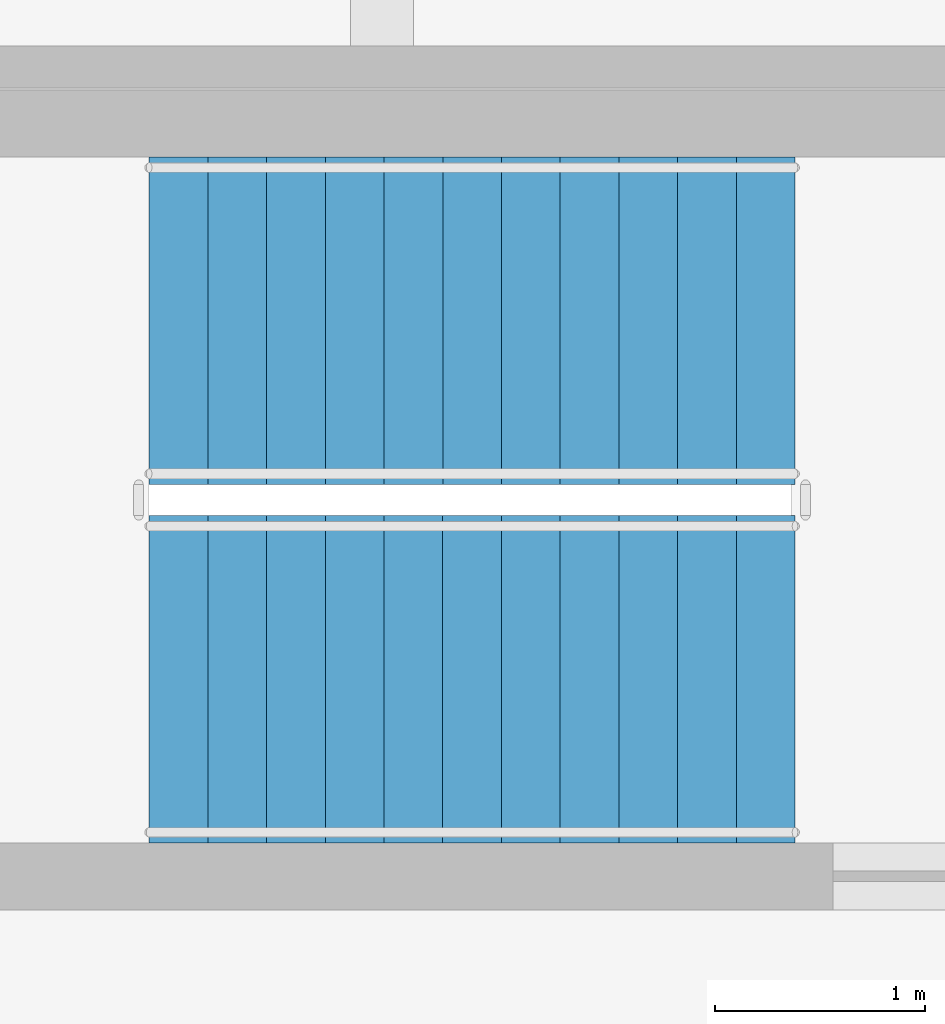
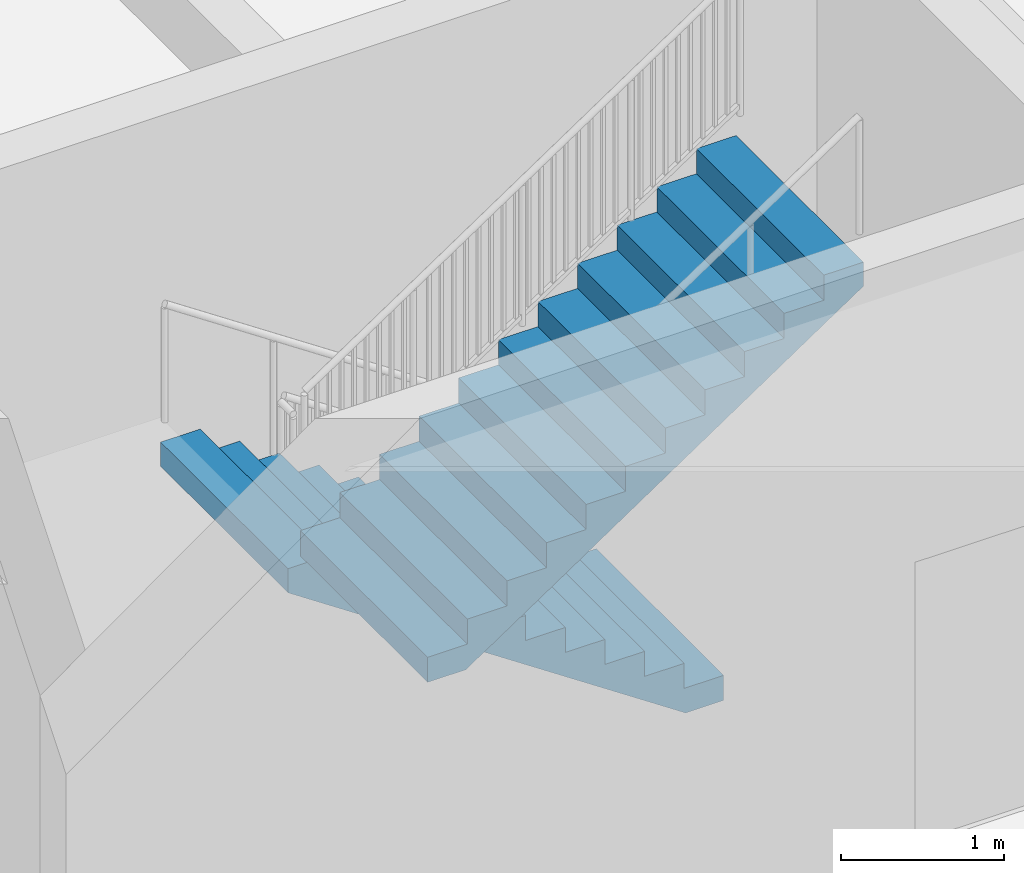
# One storey, part 67 of 79: 2 stair flights, 1 element without a shape of its own.
"""IFC4 building model written with IfcOpenShell, lengths in metres."""

from ifc_helpers import new_model, si_unit, direction, frame, origin, place, context, subcontext, project, spatial, polygons, material, type_object, element, aggregate, save


model = new_model("IFC4")

# Units and contexts
model_context = context("Model", 3, precision=1e-05, world=origin(), true_north=direction((0.0, 1.0)))
body_context = subcontext(model_context, "Body", "Model", "MODEL_VIEW")
ifc_project = project(units=[si_unit("LENGTHUNIT", "METRE"), si_unit("AREAUNIT", "SQUARE_METRE"), si_unit("VOLUMEUNIT", "CUBIC_METRE"), si_unit("PLANEANGLEUNIT", "RADIAN"), si_unit("MASSUNIT", "GRAM", prefix="KILO")], contexts=[model_context])

# Site, building, storey
site_placement = place(None, origin())
site = spatial("IfcSite", under=ifc_project, at=site_placement, CompositionType="ELEMENT")
building_placement = place(site_placement, origin())
building = spatial("IfcBuilding", under=site, at=building_placement, Name="Zantavel Square City Hall", CompositionType="ELEMENT")
storey_placement = place(building_placement, frame((0.0, 0.0, 10.199951171875)))
storey = spatial("IfcBuildingStorey", under=building, at=storey_placement, Name="L03", CompositionType="ELEMENT", Elevation=10.199951171875)

# Stair, stair flights
ifc_material = material(Name="Concrete C35/45", Category="concrete")
stair_type = type_object("IfcStairType", Name="Enclosed Core Dogleg Stair L03 H4500", PredefinedType="HALF_TURN_STAIR", material=ifc_material)
stair_placement = place(storey_placement, origin())
stair = element("IfcStair", 1, at=stair_placement, inside=storey, type_object=stair_type, Name="L03 Exit Stair 2 North-East Core", PredefinedType="HALF_TURN_STAIR")
stair_flight_type = type_object("IfcStairFlightType", Name="Enclosed Core Stair Flight L03 W1560", PredefinedType="STRAIGHT", material=ifc_material)
stair_flight_1_placement = place(storey_placement, frame((117.969970703125, 82.590087890625, 0.0), z_axis=(0.0, 0.0, 1.0), x_axis=(-1.0, 0.0, 0.0)))
stair_flight_1 = element("IfcStairFlight", 2, at=stair_flight_1_placement, type_object=stair_flight_type, Name="ST2 flight 1", NumberOfRisers=12, NumberOfTreads=11, PredefinedType="STRAIGHT", RiserHeight=0.1875, TreadLength=0.28, context=body_context, shape_type="Tessellation", body=[
    polygons([(0.26953125, -0.780029296875, 0.0), (3.080078125, -0.780029296875, 1.882080078125), (3.080078125, -0.780029296875, 2.0625), (2.800048828125, -0.780029296875, 2.0625), (2.800048828125, -0.780029296875, 1.875), (2.52001953125, -0.780029296875, 1.875), (2.52001953125, -0.780029296875, 1.6875), (2.239990234375, -0.780029296875, 1.6875), (2.239990234375, -0.780029296875, 1.5), (1.9599609375, -0.780029296875, 1.5), (1.9599609375, -0.780029296875, 1.3125), (1.679931640625, -0.780029296875, 1.3125), (1.679931640625, -0.780029296875, 1.125), (1.39990234375, -0.780029296875, 1.125), (1.39990234375, -0.780029296875, 0.9375), (1.1201171875, -0.780029296875, 0.9375), (1.1201171875, -0.780029296875, 0.75), (0.840087890625, -0.780029296875, 0.75), (0.840087890625, -0.780029296875, 0.5625), (0.56005859375, -0.780029296875, 0.5625), (0.56005859375, -0.780029296875, 0.375), (0.280029296875, -0.780029296875, 0.375), (0.280029296875, -0.780029296875, 0.1875), (0.0, -0.780029296875, 0.1875), (0.0, -0.780029296875, 0.0), (0.26953125, -0.5849609375, 0.0), (3.080078125, -0.5849609375, 1.882080078125), (3.080078125, -0.5849609375, 2.0625), (2.800048828125, -0.5849609375, 2.0625), (2.800048828125, -0.5849609375, 1.875), (2.52001953125, -0.5849609375, 1.875), (2.52001953125, -0.5849609375, 1.6875), (2.239990234375, -0.5849609375, 1.6875), (2.239990234375, -0.5849609375, 1.5), (1.9599609375, -0.5849609375, 1.5), (1.9599609375, -0.5849609375, 1.3125), (1.679931640625, -0.5849609375, 1.3125), (1.679931640625, -0.5849609375, 1.125), (1.39990234375, -0.5849609375, 1.125), (1.39990234375, -0.5849609375, 0.9375), (1.1201171875, -0.5849609375, 0.9375), (1.1201171875, -0.5849609375, 0.75), (0.840087890625, -0.5849609375, 0.75), (0.840087890625, -0.5849609375, 0.5625), (0.56005859375, -0.5849609375, 0.5625), (0.56005859375, -0.5849609375, 0.375), (0.280029296875, -0.5849609375, 0.375), (0.280029296875, -0.5849609375, 0.1875), (0.0, -0.5849609375, 0.1875), (0.0, -0.5849609375, 0.0), (0.26953125, -0.39013671875, 0.0), (3.080078125, -0.39013671875, 1.882080078125), (3.080078125, -0.39013671875, 2.0625), (2.800048828125, -0.39013671875, 2.0625), (2.800048828125, -0.39013671875, 1.875), (2.52001953125, -0.39013671875, 1.875), (2.52001953125, -0.39013671875, 1.6875), (2.239990234375, -0.39013671875, 1.6875), (2.239990234375, -0.39013671875, 1.5), (1.9599609375, -0.39013671875, 1.5), (1.9599609375, -0.39013671875, 1.3125), (1.679931640625, -0.39013671875, 1.3125), (1.679931640625, -0.39013671875, 1.125), (1.39990234375, -0.39013671875, 1.125), (1.39990234375, -0.39013671875, 0.9375), (1.1201171875, -0.39013671875, 0.9375), (1.1201171875, -0.39013671875, 0.75), (0.840087890625, -0.39013671875, 0.75), (0.840087890625, -0.39013671875, 0.5625), (0.56005859375, -0.39013671875, 0.5625), (0.56005859375, -0.39013671875, 0.375), (0.280029296875, -0.39013671875, 0.375), (0.280029296875, -0.39013671875, 0.1875), (0.0, -0.39013671875, 0.1875), (0.0, -0.39013671875, 0.0), (0.26953125, -0.195068359375, 0.0), (3.080078125, -0.195068359375, 1.882080078125), (3.080078125, -0.195068359375, 2.0625), (2.800048828125, -0.195068359375, 2.0625), (2.800048828125, -0.195068359375, 1.875), (2.52001953125, -0.195068359375, 1.875), (2.52001953125, -0.195068359375, 1.6875), (2.239990234375, -0.195068359375, 1.6875), (2.239990234375, -0.195068359375, 1.5), (1.9599609375, -0.195068359375, 1.5), (1.9599609375, -0.195068359375, 1.3125), (1.679931640625, -0.195068359375, 1.3125), (1.679931640625, -0.195068359375, 1.125), (1.39990234375, -0.195068359375, 1.125), (1.39990234375, -0.195068359375, 0.9375), (1.1201171875, -0.195068359375, 0.9375), (1.1201171875, -0.195068359375, 0.75), (0.840087890625, -0.195068359375, 0.75), (0.840087890625, -0.195068359375, 0.5625), (0.56005859375, -0.195068359375, 0.5625), (0.56005859375, -0.195068359375, 0.375), (0.280029296875, -0.195068359375, 0.375), (0.280029296875, -0.195068359375, 0.1875), (0.0, -0.195068359375, 0.1875), (0.0, -0.195068359375, 0.0), (0.26953125, 0.0, 0.0), (3.080078125, 0.0, 1.882080078125), (3.080078125, 0.0, 2.0625), (2.800048828125, 0.0, 2.0625), (2.800048828125, 0.0, 1.875), (2.52001953125, 0.0, 1.875), (2.52001953125, 0.0, 1.6875), (2.239990234375, 0.0, 1.6875), (2.239990234375, 0.0, 1.5), (1.9599609375, 0.0, 1.5), (1.9599609375, 0.0, 1.3125), (1.679931640625, 0.0, 1.3125), (1.679931640625, 0.0, 1.125), (1.39990234375, 0.0, 1.125), (1.39990234375, 0.0, 0.9375), (1.1201171875, 0.0, 0.9375), (1.1201171875, 0.0, 0.75), (0.840087890625, 0.0, 0.75), (0.840087890625, 0.0, 0.5625), (0.56005859375, 0.0, 0.5625), (0.56005859375, 0.0, 0.375), (0.280029296875, 0.0, 0.375), (0.280029296875, 0.0, 0.1875), (0.0, 0.0, 0.1875), (0.0, 0.0, 0.0), (0.26953125, 0.195068359375, 0.0), (3.080078125, 0.195068359375, 1.882080078125), (3.080078125, 0.195068359375, 2.0625), (2.800048828125, 0.195068359375, 2.0625), (2.800048828125, 0.195068359375, 1.875), (2.52001953125, 0.195068359375, 1.875), (2.52001953125, 0.195068359375, 1.6875), (2.239990234375, 0.195068359375, 1.6875), (2.239990234375, 0.195068359375, 1.5), (1.9599609375, 0.195068359375, 1.5), (1.9599609375, 0.195068359375, 1.3125), (1.679931640625, 0.195068359375, 1.3125), (1.679931640625, 0.195068359375, 1.125), (1.39990234375, 0.195068359375, 1.125), (1.39990234375, 0.195068359375, 0.9375), (1.1201171875, 0.195068359375, 0.9375), (1.1201171875, 0.195068359375, 0.75), (0.840087890625, 0.195068359375, 0.75), (0.840087890625, 0.195068359375, 0.5625), (0.56005859375, 0.195068359375, 0.5625), (0.56005859375, 0.195068359375, 0.375), (0.280029296875, 0.195068359375, 0.375), (0.280029296875, 0.195068359375, 0.1875), (0.0, 0.195068359375, 0.1875), (0.0, 0.195068359375, 0.0), (0.26953125, 0.39013671875, 0.0), (3.080078125, 0.39013671875, 1.882080078125), (3.080078125, 0.39013671875, 2.0625), (2.800048828125, 0.39013671875, 2.0625), (2.800048828125, 0.39013671875, 1.875), (2.52001953125, 0.39013671875, 1.875), (2.52001953125, 0.39013671875, 1.6875), (2.239990234375, 0.39013671875, 1.6875), (2.239990234375, 0.39013671875, 1.5), (1.9599609375, 0.39013671875, 1.5), (1.9599609375, 0.39013671875, 1.3125), (1.679931640625, 0.39013671875, 1.3125), (1.679931640625, 0.39013671875, 1.125), (1.39990234375, 0.39013671875, 1.125), (1.39990234375, 0.39013671875, 0.9375), (1.1201171875, 0.39013671875, 0.9375), (1.1201171875, 0.39013671875, 0.75), (0.840087890625, 0.39013671875, 0.75), (0.840087890625, 0.39013671875, 0.5625), (0.56005859375, 0.39013671875, 0.5625), (0.56005859375, 0.39013671875, 0.375), (0.280029296875, 0.39013671875, 0.375), (0.280029296875, 0.39013671875, 0.1875), (0.0, 0.39013671875, 0.1875), (0.0, 0.39013671875, 0.0), (0.26953125, 0.5849609375, 0.0), (3.080078125, 0.5849609375, 1.882080078125), (3.080078125, 0.5849609375, 2.0625), (2.800048828125, 0.5849609375, 2.0625), (2.800048828125, 0.5849609375, 1.875), (2.52001953125, 0.5849609375, 1.875), (2.52001953125, 0.5849609375, 1.6875), (2.239990234375, 0.5849609375, 1.6875), (2.239990234375, 0.5849609375, 1.5), (1.9599609375, 0.5849609375, 1.5), (1.9599609375, 0.5849609375, 1.3125), (1.679931640625, 0.5849609375, 1.3125), (1.679931640625, 0.5849609375, 1.125), (1.39990234375, 0.5849609375, 1.125), (1.39990234375, 0.5849609375, 0.9375), (1.1201171875, 0.5849609375, 0.9375), (1.1201171875, 0.5849609375, 0.75), (0.840087890625, 0.5849609375, 0.75), (0.840087890625, 0.5849609375, 0.5625), (0.56005859375, 0.5849609375, 0.5625), (0.56005859375, 0.5849609375, 0.375), (0.280029296875, 0.5849609375, 0.375), (0.280029296875, 0.5849609375, 0.1875), (0.0, 0.5849609375, 0.1875), (0.0, 0.5849609375, 0.0), (0.26953125, 0.780029296875, 0.0), (3.080078125, 0.780029296875, 1.882080078125), (3.080078125, 0.780029296875, 2.0625), (2.800048828125, 0.780029296875, 2.0625), (2.800048828125, 0.780029296875, 1.875), (2.52001953125, 0.780029296875, 1.875), (2.52001953125, 0.780029296875, 1.6875), (2.239990234375, 0.780029296875, 1.6875), (2.239990234375, 0.780029296875, 1.5), (1.9599609375, 0.780029296875, 1.5), (1.9599609375, 0.780029296875, 1.3125), (1.679931640625, 0.780029296875, 1.3125), (1.679931640625, 0.780029296875, 1.125), (1.39990234375, 0.780029296875, 1.125), (1.39990234375, 0.780029296875, 0.9375), (1.1201171875, 0.780029296875, 0.9375), (1.1201171875, 0.780029296875, 0.75), (0.840087890625, 0.780029296875, 0.75), (0.840087890625, 0.780029296875, 0.5625), (0.56005859375, 0.780029296875, 0.5625), (0.56005859375, 0.780029296875, 0.375), (0.280029296875, 0.780029296875, 0.375), (0.280029296875, 0.780029296875, 0.1875), (0.0, 0.780029296875, 0.1875), (0.0, 0.780029296875, 0.0)], [[[1, 2, 3, 4, 5, 6, 7, 8, 9, 10, 11, 12, 13, 14, 15, 16, 17, 18, 19, 20, 21, 22, 23, 24, 25]], [[225, 224, 223, 222, 221, 220, 219, 218, 217, 216, 215, 214, 213, 212, 211, 210, 209, 208, 207, 206, 205, 204, 203, 202, 201]], [[1, 26, 27]], [[1, 27, 2]], [[2, 27, 28]], [[2, 28, 3]], [[3, 28, 29]], [[3, 29, 4]], [[4, 29, 30]], [[4, 30, 5]], [[5, 30, 31]], [[5, 31, 6]], [[6, 31, 32]], [[6, 32, 7]], [[7, 32, 33]], [[7, 33, 8]], [[8, 33, 34]], [[8, 34, 9]], [[9, 34, 35]], [[9, 35, 10]], [[10, 35, 36]], [[10, 36, 11]], [[11, 36, 37]], [[11, 37, 12]], [[12, 37, 38]], [[12, 38, 13]], [[13, 38, 39]], [[13, 39, 14]], [[14, 39, 40]], [[14, 40, 15]], [[15, 40, 41]], [[15, 41, 16]], [[16, 41, 42]], [[16, 42, 17]], [[17, 42, 43]], [[17, 43, 18]], [[18, 43, 44]], [[18, 44, 19]], [[19, 44, 45]], [[19, 45, 20]], [[20, 45, 46]], [[20, 46, 21]], [[21, 46, 47]], [[21, 47, 22]], [[22, 47, 48]], [[22, 48, 23]], [[23, 48, 49]], [[23, 49, 24]], [[24, 49, 50]], [[24, 50, 25]], [[25, 50, 26]], [[25, 26, 1]], [[26, 51, 52]], [[26, 52, 27]], [[27, 52, 53]], [[27, 53, 28]], [[28, 53, 54]], [[28, 54, 29]], [[29, 54, 55]], [[29, 55, 30]], [[30, 55, 56]], [[30, 56, 31]], [[31, 56, 57]], [[31, 57, 32]], [[32, 57, 58]], [[32, 58, 33]], [[33, 58, 59]], [[33, 59, 34]], [[34, 59, 60]], [[34, 60, 35]], [[35, 60, 61]], [[35, 61, 36]], [[36, 61, 62]], [[36, 62, 37]], [[37, 62, 63]], [[37, 63, 38]], [[38, 63, 64]], [[38, 64, 39]], [[39, 64, 65]], [[39, 65, 40]], [[40, 65, 66]], [[40, 66, 41]], [[41, 66, 67]], [[41, 67, 42]], [[42, 67, 68]], [[42, 68, 43]], [[43, 68, 69]], [[43, 69, 44]], [[44, 69, 70]], [[44, 70, 45]], [[45, 70, 71]], [[45, 71, 46]], [[46, 71, 72]], [[46, 72, 47]], [[47, 72, 73]], [[47, 73, 48]], [[48, 73, 74]], [[48, 74, 49]], [[49, 74, 75]], [[49, 75, 50]], [[50, 75, 51]], [[50, 51, 26]], [[51, 76, 77]], [[51, 77, 52]], [[52, 77, 78]], [[52, 78, 53]], [[53, 78, 79]], [[53, 79, 54]], [[54, 79, 80]], [[54, 80, 55]], [[55, 80, 81]], [[55, 81, 56]], [[56, 81, 82]], [[56, 82, 57]], [[57, 82, 83]], [[57, 83, 58]], [[58, 83, 84]], [[58, 84, 59]], [[59, 84, 85]], [[59, 85, 60]], [[60, 85, 86]], [[60, 86, 61]], [[61, 86, 87]], [[61, 87, 62]], [[62, 87, 88]], [[62, 88, 63]], [[63, 88, 89]], [[63, 89, 64]], [[64, 89, 90]], [[64, 90, 65]], [[65, 90, 91]], [[65, 91, 66]], [[66, 91, 92]], [[66, 92, 67]], [[67, 92, 93]], [[67, 93, 68]], [[68, 93, 94]], [[68, 94, 69]], [[69, 94, 95]], [[69, 95, 70]], [[70, 95, 96]], [[70, 96, 71]], [[71, 96, 97]], [[71, 97, 72]], [[72, 97, 98]], [[72, 98, 73]], [[73, 98, 99]], [[73, 99, 74]], [[74, 99, 100]], [[74, 100, 75]], [[75, 100, 76]], [[75, 76, 51]], [[76, 101, 102]], [[76, 102, 77]], [[77, 102, 103]], [[77, 103, 78]], [[78, 103, 104]], [[78, 104, 79]], [[79, 104, 105]], [[79, 105, 80]], [[80, 105, 106]], [[80, 106, 81]], [[81, 106, 107]], [[81, 107, 82]], [[82, 107, 108]], [[82, 108, 83]], [[83, 108, 109]], [[83, 109, 84]], [[84, 109, 110]], [[84, 110, 85]], [[85, 110, 111]], [[85, 111, 86]], [[86, 111, 112]], [[86, 112, 87]], [[87, 112, 113]], [[87, 113, 88]], [[88, 113, 114]], [[88, 114, 89]], [[89, 114, 115]], [[89, 115, 90]], [[90, 115, 116]], [[90, 116, 91]], [[91, 116, 117]], [[91, 117, 92]], [[92, 117, 118]], [[92, 118, 93]], [[93, 118, 119]], [[93, 119, 94]], [[94, 119, 120]], [[94, 120, 95]], [[95, 120, 121]], [[95, 121, 96]], [[96, 121, 122]], [[96, 122, 97]], [[97, 122, 123]], [[97, 123, 98]], [[98, 123, 124]], [[98, 124, 99]], [[99, 124, 125]], [[99, 125, 100]], [[100, 125, 101]], [[100, 101, 76]], [[101, 126, 102]], [[126, 127, 102]], [[102, 127, 103]], [[127, 128, 103]], [[103, 128, 104]], [[128, 129, 104]], [[104, 129, 105]], [[129, 130, 105]], [[105, 130, 106]], [[130, 131, 106]], [[106, 131, 107]], [[131, 132, 107]], [[107, 132, 108]], [[132, 133, 108]], [[108, 133, 109]], [[133, 134, 109]], [[109, 134, 110]], [[134, 135, 110]], [[110, 135, 111]], [[135, 136, 111]], [[111, 136, 112]], [[136, 137, 112]], [[112, 137, 113]], [[137, 138, 113]], [[113, 138, 114]], [[138, 139, 114]], [[114, 139, 115]], [[139, 140, 115]], [[115, 140, 116]], [[140, 141, 116]], [[116, 141, 117]], [[141, 142, 117]], [[117, 142, 118]], [[142, 143, 118]], [[118, 143, 119]], [[143, 144, 119]], [[119, 144, 120]], [[144, 145, 120]], [[120, 145, 121]], [[145, 146, 121]], [[121, 146, 122]], [[146, 147, 122]], [[122, 147, 123]], [[147, 148, 123]], [[123, 148, 124]], [[148, 149, 124]], [[124, 149, 125]], [[149, 150, 125]], [[125, 150, 101]], [[150, 126, 101]], [[126, 151, 127]], [[151, 152, 127]], [[127, 152, 128]], [[152, 153, 128]], [[128, 153, 129]], [[153, 154, 129]], [[129, 154, 130]], [[154, 155, 130]], [[130, 155, 131]], [[155, 156, 131]], [[131, 156, 132]], [[156, 157, 132]], [[132, 157, 133]], [[157, 158, 133]], [[133, 158, 134]], [[158, 159, 134]], [[134, 159, 135]], [[159, 160, 135]], [[135, 160, 136]], [[160, 161, 136]], [[136, 161, 137]], [[161, 162, 137]], [[137, 162, 138]], [[162, 163, 138]], [[138, 163, 139]], [[163, 164, 139]], [[139, 164, 140]], [[164, 165, 140]], [[140, 165, 141]], [[165, 166, 141]], [[141, 166, 142]], [[166, 167, 142]], [[142, 167, 143]], [[167, 168, 143]], [[143, 168, 144]], [[168, 169, 144]], [[144, 169, 145]], [[169, 170, 145]], [[145, 170, 146]], [[170, 171, 146]], [[146, 171, 147]], [[171, 172, 147]], [[147, 172, 148]], [[172, 173, 148]], [[148, 173, 149]], [[173, 174, 149]], [[149, 174, 150]], [[174, 175, 150]], [[150, 175, 126]], [[175, 151, 126]], [[151, 176, 152]], [[176, 177, 152]], [[152, 177, 153]], [[177, 178, 153]], [[153, 178, 154]], [[178, 179, 154]], [[154, 179, 155]], [[179, 180, 155]], [[155, 180, 156]], [[180, 181, 156]], [[156, 181, 157]], [[181, 182, 157]], [[157, 182, 158]], [[182, 183, 158]], [[158, 183, 159]], [[183, 184, 159]], [[159, 184, 160]], [[184, 185, 160]], [[160, 185, 161]], [[185, 186, 161]], [[161, 186, 162]], [[186, 187, 162]], [[162, 187, 163]], [[187, 188, 163]], [[163, 188, 164]], [[188, 189, 164]], [[164, 189, 165]], [[189, 190, 165]], [[165, 190, 166]], [[190, 191, 166]], [[166, 191, 167]], [[191, 192, 167]], [[167, 192, 168]], [[192, 193, 168]], [[168, 193, 169]], [[193, 194, 169]], [[169, 194, 170]], [[194, 195, 170]], [[170, 195, 171]], [[195, 196, 171]], [[171, 196, 172]], [[196, 197, 172]], [[172, 197, 173]], [[197, 198, 173]], [[173, 198, 174]], [[198, 199, 174]], [[174, 199, 175]], [[199, 200, 175]], [[175, 200, 151]], [[200, 176, 151]], [[176, 201, 177]], [[201, 202, 177]], [[177, 202, 178]], [[202, 203, 178]], [[178, 203, 179]], [[203, 204, 179]], [[179, 204, 180]], [[204, 205, 180]], [[180, 205, 181]], [[205, 206, 181]], [[181, 206, 182]], [[206, 207, 182]], [[182, 207, 183]], [[207, 208, 183]], [[183, 208, 184]], [[208, 209, 184]], [[184, 209, 185]], [[209, 210, 185]], [[185, 210, 186]], [[210, 211, 186]], [[186, 211, 187]], [[211, 212, 187]], [[187, 212, 188]], [[212, 213, 188]], [[188, 213, 189]], [[213, 214, 189]], [[189, 214, 190]], [[214, 215, 190]], [[190, 215, 191]], [[215, 216, 191]], [[191, 216, 192]], [[216, 217, 192]], [[192, 217, 193]], [[217, 218, 193]], [[193, 218, 194]], [[218, 219, 194]], [[194, 219, 195]], [[219, 220, 195]], [[195, 220, 196]], [[220, 221, 196]], [[196, 221, 197]], [[221, 222, 197]], [[197, 222, 198]], [[222, 223, 198]], [[198, 223, 199]], [[223, 224, 199]], [[199, 224, 200]], [[224, 225, 200]], [[200, 225, 176]], [[225, 201, 176]]], closed=True),
])
stair_flight_2_placement = place(storey_placement, frame((114.889892578125, 80.8798828125, 2.25), z_axis=(0.0, 0.0, 1.0), x_axis=(1.0, 0.0, 0.0)))
stair_flight_2 = element("IfcStairFlight", 3, at=stair_flight_2_placement, type_object=stair_flight_type, Name="ST2 flight 2", NumberOfRisers=12, NumberOfTreads=11, PredefinedType="STRAIGHT", RiserHeight=0.1875, TreadLength=0.28, context=body_context, shape_type="Tessellation", body=[
    polygons([(0.26953125, -0.780029296875, 0.0), (3.080078125, -0.780029296875, 1.882080078125), (3.080078125, -0.780029296875, 2.0625), (2.800048828125, -0.780029296875, 2.0625), (2.800048828125, -0.780029296875, 1.875), (2.52001953125, -0.780029296875, 1.875), (2.52001953125, -0.780029296875, 1.6875), (2.239990234375, -0.780029296875, 1.6875), (2.239990234375, -0.780029296875, 1.5), (1.9599609375, -0.780029296875, 1.5), (1.9599609375, -0.780029296875, 1.3125), (1.679931640625, -0.780029296875, 1.3125), (1.679931640625, -0.780029296875, 1.125), (1.39990234375, -0.780029296875, 1.125), (1.39990234375, -0.780029296875, 0.9375), (1.1201171875, -0.780029296875, 0.9375), (1.1201171875, -0.780029296875, 0.75), (0.840087890625, -0.780029296875, 0.75), (0.840087890625, -0.780029296875, 0.5625), (0.56005859375, -0.780029296875, 0.5625), (0.56005859375, -0.780029296875, 0.375), (0.280029296875, -0.780029296875, 0.375), (0.280029296875, -0.780029296875, 0.1875), (0.0, -0.780029296875, 0.1875), (0.0, -0.780029296875, 0.0), (0.26953125, -0.5849609375, 0.0), (3.080078125, -0.5849609375, 1.882080078125), (3.080078125, -0.5849609375, 2.0625), (2.800048828125, -0.5849609375, 2.0625), (2.800048828125, -0.5849609375, 1.875), (2.52001953125, -0.5849609375, 1.875), (2.52001953125, -0.5849609375, 1.6875), (2.239990234375, -0.5849609375, 1.6875), (2.239990234375, -0.5849609375, 1.5), (1.9599609375, -0.5849609375, 1.5), (1.9599609375, -0.5849609375, 1.3125), (1.679931640625, -0.5849609375, 1.3125), (1.679931640625, -0.5849609375, 1.125), (1.39990234375, -0.5849609375, 1.125), (1.39990234375, -0.5849609375, 0.9375), (1.1201171875, -0.5849609375, 0.9375), (1.1201171875, -0.5849609375, 0.75), (0.840087890625, -0.5849609375, 0.75), (0.840087890625, -0.5849609375, 0.5625), (0.56005859375, -0.5849609375, 0.5625), (0.56005859375, -0.5849609375, 0.375), (0.280029296875, -0.5849609375, 0.375), (0.280029296875, -0.5849609375, 0.1875), (0.0, -0.5849609375, 0.1875), (0.0, -0.5849609375, 0.0), (0.26953125, -0.39013671875, 0.0), (3.080078125, -0.39013671875, 1.882080078125), (3.080078125, -0.39013671875, 2.0625), (2.800048828125, -0.39013671875, 2.0625), (2.800048828125, -0.39013671875, 1.875), (2.52001953125, -0.39013671875, 1.875), (2.52001953125, -0.39013671875, 1.6875), (2.239990234375, -0.39013671875, 1.6875), (2.239990234375, -0.39013671875, 1.5), (1.9599609375, -0.39013671875, 1.5), (1.9599609375, -0.39013671875, 1.3125), (1.679931640625, -0.39013671875, 1.3125), (1.679931640625, -0.39013671875, 1.125), (1.39990234375, -0.39013671875, 1.125), (1.39990234375, -0.39013671875, 0.9375), (1.1201171875, -0.39013671875, 0.9375), (1.1201171875, -0.39013671875, 0.75), (0.840087890625, -0.39013671875, 0.75), (0.840087890625, -0.39013671875, 0.5625), (0.56005859375, -0.39013671875, 0.5625), (0.56005859375, -0.39013671875, 0.375), (0.280029296875, -0.39013671875, 0.375), (0.280029296875, -0.39013671875, 0.1875), (0.0, -0.39013671875, 0.1875), (0.0, -0.39013671875, 0.0), (0.26953125, -0.195068359375, 0.0), (3.080078125, -0.195068359375, 1.882080078125), (3.080078125, -0.195068359375, 2.0625), (2.800048828125, -0.195068359375, 2.0625), (2.800048828125, -0.195068359375, 1.875), (2.52001953125, -0.195068359375, 1.875), (2.52001953125, -0.195068359375, 1.6875), (2.239990234375, -0.195068359375, 1.6875), (2.239990234375, -0.195068359375, 1.5), (1.9599609375, -0.195068359375, 1.5), (1.9599609375, -0.195068359375, 1.3125), (1.679931640625, -0.195068359375, 1.3125), (1.679931640625, -0.195068359375, 1.125), (1.39990234375, -0.195068359375, 1.125), (1.39990234375, -0.195068359375, 0.9375), (1.1201171875, -0.195068359375, 0.9375), (1.1201171875, -0.195068359375, 0.75), (0.840087890625, -0.195068359375, 0.75), (0.840087890625, -0.195068359375, 0.5625), (0.56005859375, -0.195068359375, 0.5625), (0.56005859375, -0.195068359375, 0.375), (0.280029296875, -0.195068359375, 0.375), (0.280029296875, -0.195068359375, 0.1875), (0.0, -0.195068359375, 0.1875), (0.0, -0.195068359375, 0.0), (0.26953125, 0.0, 0.0), (3.080078125, 0.0, 1.882080078125), (3.080078125, 0.0, 2.0625), (2.800048828125, 0.0, 2.0625), (2.800048828125, 0.0, 1.875), (2.52001953125, 0.0, 1.875), (2.52001953125, 0.0, 1.6875), (2.239990234375, 0.0, 1.6875), (2.239990234375, 0.0, 1.5), (1.9599609375, 0.0, 1.5), (1.9599609375, 0.0, 1.3125), (1.679931640625, 0.0, 1.3125), (1.679931640625, 0.0, 1.125), (1.39990234375, 0.0, 1.125), (1.39990234375, 0.0, 0.9375), (1.1201171875, 0.0, 0.9375), (1.1201171875, 0.0, 0.75), (0.840087890625, 0.0, 0.75), (0.840087890625, 0.0, 0.5625), (0.56005859375, 0.0, 0.5625), (0.56005859375, 0.0, 0.375), (0.280029296875, 0.0, 0.375), (0.280029296875, 0.0, 0.1875), (0.0, 0.0, 0.1875), (0.0, 0.0, 0.0), (0.26953125, 0.195068359375, 0.0), (3.080078125, 0.195068359375, 1.882080078125), (3.080078125, 0.195068359375, 2.0625), (2.800048828125, 0.195068359375, 2.0625), (2.800048828125, 0.195068359375, 1.875), (2.52001953125, 0.195068359375, 1.875), (2.52001953125, 0.195068359375, 1.6875), (2.239990234375, 0.195068359375, 1.6875), (2.239990234375, 0.195068359375, 1.5), (1.9599609375, 0.195068359375, 1.5), (1.9599609375, 0.195068359375, 1.3125), (1.679931640625, 0.195068359375, 1.3125), (1.679931640625, 0.195068359375, 1.125), (1.39990234375, 0.195068359375, 1.125), (1.39990234375, 0.195068359375, 0.9375), (1.1201171875, 0.195068359375, 0.9375), (1.1201171875, 0.195068359375, 0.75), (0.840087890625, 0.195068359375, 0.75), (0.840087890625, 0.195068359375, 0.5625), (0.56005859375, 0.195068359375, 0.5625), (0.56005859375, 0.195068359375, 0.375), (0.280029296875, 0.195068359375, 0.375), (0.280029296875, 0.195068359375, 0.1875), (0.0, 0.195068359375, 0.1875), (0.0, 0.195068359375, 0.0), (0.26953125, 0.39013671875, 0.0), (3.080078125, 0.39013671875, 1.882080078125), (3.080078125, 0.39013671875, 2.0625), (2.800048828125, 0.39013671875, 2.0625), (2.800048828125, 0.39013671875, 1.875), (2.52001953125, 0.39013671875, 1.875), (2.52001953125, 0.39013671875, 1.6875), (2.239990234375, 0.39013671875, 1.6875), (2.239990234375, 0.39013671875, 1.5), (1.9599609375, 0.39013671875, 1.5), (1.9599609375, 0.39013671875, 1.3125), (1.679931640625, 0.39013671875, 1.3125), (1.679931640625, 0.39013671875, 1.125), (1.39990234375, 0.39013671875, 1.125), (1.39990234375, 0.39013671875, 0.9375), (1.1201171875, 0.39013671875, 0.9375), (1.1201171875, 0.39013671875, 0.75), (0.840087890625, 0.39013671875, 0.75), (0.840087890625, 0.39013671875, 0.5625), (0.56005859375, 0.39013671875, 0.5625), (0.56005859375, 0.39013671875, 0.375), (0.280029296875, 0.39013671875, 0.375), (0.280029296875, 0.39013671875, 0.1875), (0.0, 0.39013671875, 0.1875), (0.0, 0.39013671875, 0.0), (0.26953125, 0.5849609375, 0.0), (3.080078125, 0.5849609375, 1.882080078125), (3.080078125, 0.5849609375, 2.0625), (2.800048828125, 0.5849609375, 2.0625), (2.800048828125, 0.5849609375, 1.875), (2.52001953125, 0.5849609375, 1.875), (2.52001953125, 0.5849609375, 1.6875), (2.239990234375, 0.5849609375, 1.6875), (2.239990234375, 0.5849609375, 1.5), (1.9599609375, 0.5849609375, 1.5), (1.9599609375, 0.5849609375, 1.3125), (1.679931640625, 0.5849609375, 1.3125), (1.679931640625, 0.5849609375, 1.125), (1.39990234375, 0.5849609375, 1.125), (1.39990234375, 0.5849609375, 0.9375), (1.1201171875, 0.5849609375, 0.9375), (1.1201171875, 0.5849609375, 0.75), (0.840087890625, 0.5849609375, 0.75), (0.840087890625, 0.5849609375, 0.5625), (0.56005859375, 0.5849609375, 0.5625), (0.56005859375, 0.5849609375, 0.375), (0.280029296875, 0.5849609375, 0.375), (0.280029296875, 0.5849609375, 0.1875), (0.0, 0.5849609375, 0.1875), (0.0, 0.5849609375, 0.0), (0.26953125, 0.780029296875, 0.0), (3.080078125, 0.780029296875, 1.882080078125), (3.080078125, 0.780029296875, 2.0625), (2.800048828125, 0.780029296875, 2.0625), (2.800048828125, 0.780029296875, 1.875), (2.52001953125, 0.780029296875, 1.875), (2.52001953125, 0.780029296875, 1.6875), (2.239990234375, 0.780029296875, 1.6875), (2.239990234375, 0.780029296875, 1.5), (1.9599609375, 0.780029296875, 1.5), (1.9599609375, 0.780029296875, 1.3125), (1.679931640625, 0.780029296875, 1.3125), (1.679931640625, 0.780029296875, 1.125), (1.39990234375, 0.780029296875, 1.125), (1.39990234375, 0.780029296875, 0.9375), (1.1201171875, 0.780029296875, 0.9375), (1.1201171875, 0.780029296875, 0.75), (0.840087890625, 0.780029296875, 0.75), (0.840087890625, 0.780029296875, 0.5625), (0.56005859375, 0.780029296875, 0.5625), (0.56005859375, 0.780029296875, 0.375), (0.280029296875, 0.780029296875, 0.375), (0.280029296875, 0.780029296875, 0.1875), (0.0, 0.780029296875, 0.1875), (0.0, 0.780029296875, 0.0)], [[[1, 2, 3, 4, 5, 6, 7, 8, 9, 10, 11, 12, 13, 14, 15, 16, 17, 18, 19, 20, 21, 22, 23, 24, 25]], [[225, 224, 223, 222, 221, 220, 219, 218, 217, 216, 215, 214, 213, 212, 211, 210, 209, 208, 207, 206, 205, 204, 203, 202, 201]], [[1, 26, 27]], [[1, 27, 2]], [[2, 27, 28]], [[2, 28, 3]], [[3, 28, 29]], [[3, 29, 4]], [[4, 29, 30]], [[4, 30, 5]], [[5, 30, 31]], [[5, 31, 6]], [[6, 31, 32]], [[6, 32, 7]], [[7, 32, 33]], [[7, 33, 8]], [[8, 33, 34]], [[8, 34, 9]], [[9, 34, 35]], [[9, 35, 10]], [[10, 35, 36]], [[10, 36, 11]], [[11, 36, 37]], [[11, 37, 12]], [[12, 37, 38]], [[12, 38, 13]], [[13, 38, 39]], [[13, 39, 14]], [[14, 39, 40]], [[14, 40, 15]], [[15, 40, 41]], [[15, 41, 16]], [[16, 41, 42]], [[16, 42, 17]], [[17, 42, 43]], [[17, 43, 18]], [[18, 43, 44]], [[18, 44, 19]], [[19, 44, 45]], [[19, 45, 20]], [[20, 45, 46]], [[20, 46, 21]], [[21, 46, 47]], [[21, 47, 22]], [[22, 47, 48]], [[22, 48, 23]], [[23, 48, 49]], [[23, 49, 24]], [[24, 49, 50]], [[24, 50, 25]], [[25, 50, 26]], [[25, 26, 1]], [[26, 51, 52]], [[26, 52, 27]], [[27, 52, 53]], [[27, 53, 28]], [[28, 53, 54]], [[28, 54, 29]], [[29, 54, 55]], [[29, 55, 30]], [[30, 55, 56]], [[30, 56, 31]], [[31, 56, 57]], [[31, 57, 32]], [[32, 57, 58]], [[32, 58, 33]], [[33, 58, 59]], [[33, 59, 34]], [[34, 59, 60]], [[34, 60, 35]], [[35, 60, 61]], [[35, 61, 36]], [[36, 61, 62]], [[36, 62, 37]], [[37, 62, 63]], [[37, 63, 38]], [[38, 63, 64]], [[38, 64, 39]], [[39, 64, 65]], [[39, 65, 40]], [[40, 65, 66]], [[40, 66, 41]], [[41, 66, 67]], [[41, 67, 42]], [[42, 67, 68]], [[42, 68, 43]], [[43, 68, 69]], [[43, 69, 44]], [[44, 69, 70]], [[44, 70, 45]], [[45, 70, 71]], [[45, 71, 46]], [[46, 71, 72]], [[46, 72, 47]], [[47, 72, 73]], [[47, 73, 48]], [[48, 73, 74]], [[48, 74, 49]], [[49, 74, 75]], [[49, 75, 50]], [[50, 75, 51]], [[50, 51, 26]], [[51, 76, 77]], [[51, 77, 52]], [[52, 77, 78]], [[52, 78, 53]], [[53, 78, 79]], [[53, 79, 54]], [[54, 79, 80]], [[54, 80, 55]], [[55, 80, 81]], [[55, 81, 56]], [[56, 81, 82]], [[56, 82, 57]], [[57, 82, 83]], [[57, 83, 58]], [[58, 83, 84]], [[58, 84, 59]], [[59, 84, 85]], [[59, 85, 60]], [[60, 85, 86]], [[60, 86, 61]], [[61, 86, 87]], [[61, 87, 62]], [[62, 87, 88]], [[62, 88, 63]], [[63, 88, 89]], [[63, 89, 64]], [[64, 89, 90]], [[64, 90, 65]], [[65, 90, 91]], [[65, 91, 66]], [[66, 91, 92]], [[66, 92, 67]], [[67, 92, 93]], [[67, 93, 68]], [[68, 93, 94]], [[68, 94, 69]], [[69, 94, 95]], [[69, 95, 70]], [[70, 95, 96]], [[70, 96, 71]], [[71, 96, 97]], [[71, 97, 72]], [[72, 97, 98]], [[72, 98, 73]], [[73, 98, 99]], [[73, 99, 74]], [[74, 99, 100]], [[74, 100, 75]], [[75, 100, 76]], [[75, 76, 51]], [[76, 101, 102]], [[76, 102, 77]], [[77, 102, 103]], [[77, 103, 78]], [[78, 103, 104]], [[78, 104, 79]], [[79, 104, 105]], [[79, 105, 80]], [[80, 105, 106]], [[80, 106, 81]], [[81, 106, 107]], [[81, 107, 82]], [[82, 107, 108]], [[82, 108, 83]], [[83, 108, 109]], [[83, 109, 84]], [[84, 109, 110]], [[84, 110, 85]], [[85, 110, 111]], [[85, 111, 86]], [[86, 111, 112]], [[86, 112, 87]], [[87, 112, 113]], [[87, 113, 88]], [[88, 113, 114]], [[88, 114, 89]], [[89, 114, 115]], [[89, 115, 90]], [[90, 115, 116]], [[90, 116, 91]], [[91, 116, 117]], [[91, 117, 92]], [[92, 117, 118]], [[92, 118, 93]], [[93, 118, 119]], [[93, 119, 94]], [[94, 119, 120]], [[94, 120, 95]], [[95, 120, 121]], [[95, 121, 96]], [[96, 121, 122]], [[96, 122, 97]], [[97, 122, 123]], [[97, 123, 98]], [[98, 123, 124]], [[98, 124, 99]], [[99, 124, 125]], [[99, 125, 100]], [[100, 125, 101]], [[100, 101, 76]], [[101, 126, 102]], [[126, 127, 102]], [[102, 127, 103]], [[127, 128, 103]], [[103, 128, 104]], [[128, 129, 104]], [[104, 129, 105]], [[129, 130, 105]], [[105, 130, 106]], [[130, 131, 106]], [[106, 131, 107]], [[131, 132, 107]], [[107, 132, 108]], [[132, 133, 108]], [[108, 133, 109]], [[133, 134, 109]], [[109, 134, 110]], [[134, 135, 110]], [[110, 135, 111]], [[135, 136, 111]], [[111, 136, 112]], [[136, 137, 112]], [[112, 137, 113]], [[137, 138, 113]], [[113, 138, 114]], [[138, 139, 114]], [[114, 139, 115]], [[139, 140, 115]], [[115, 140, 116]], [[140, 141, 116]], [[116, 141, 117]], [[141, 142, 117]], [[117, 142, 118]], [[142, 143, 118]], [[118, 143, 119]], [[143, 144, 119]], [[119, 144, 120]], [[144, 145, 120]], [[120, 145, 121]], [[145, 146, 121]], [[121, 146, 122]], [[146, 147, 122]], [[122, 147, 123]], [[147, 148, 123]], [[123, 148, 124]], [[148, 149, 124]], [[124, 149, 125]], [[149, 150, 125]], [[125, 150, 101]], [[150, 126, 101]], [[126, 151, 127]], [[151, 152, 127]], [[127, 152, 128]], [[152, 153, 128]], [[128, 153, 129]], [[153, 154, 129]], [[129, 154, 130]], [[154, 155, 130]], [[130, 155, 131]], [[155, 156, 131]], [[131, 156, 132]], [[156, 157, 132]], [[132, 157, 133]], [[157, 158, 133]], [[133, 158, 134]], [[158, 159, 134]], [[134, 159, 135]], [[159, 160, 135]], [[135, 160, 136]], [[160, 161, 136]], [[136, 161, 137]], [[161, 162, 137]], [[137, 162, 138]], [[162, 163, 138]], [[138, 163, 139]], [[163, 164, 139]], [[139, 164, 140]], [[164, 165, 140]], [[140, 165, 141]], [[165, 166, 141]], [[141, 166, 142]], [[166, 167, 142]], [[142, 167, 143]], [[167, 168, 143]], [[143, 168, 144]], [[168, 169, 144]], [[144, 169, 145]], [[169, 170, 145]], [[145, 170, 146]], [[170, 171, 146]], [[146, 171, 147]], [[171, 172, 147]], [[147, 172, 148]], [[172, 173, 148]], [[148, 173, 149]], [[173, 174, 149]], [[149, 174, 150]], [[174, 175, 150]], [[150, 175, 126]], [[175, 151, 126]], [[151, 176, 152]], [[176, 177, 152]], [[152, 177, 153]], [[177, 178, 153]], [[153, 178, 154]], [[178, 179, 154]], [[154, 179, 155]], [[179, 180, 155]], [[155, 180, 156]], [[180, 181, 156]], [[156, 181, 157]], [[181, 182, 157]], [[157, 182, 158]], [[182, 183, 158]], [[158, 183, 159]], [[183, 184, 159]], [[159, 184, 160]], [[184, 185, 160]], [[160, 185, 161]], [[185, 186, 161]], [[161, 186, 162]], [[186, 187, 162]], [[162, 187, 163]], [[187, 188, 163]], [[163, 188, 164]], [[188, 189, 164]], [[164, 189, 165]], [[189, 190, 165]], [[165, 190, 166]], [[190, 191, 166]], [[166, 191, 167]], [[191, 192, 167]], [[167, 192, 168]], [[192, 193, 168]], [[168, 193, 169]], [[193, 194, 169]], [[169, 194, 170]], [[194, 195, 170]], [[170, 195, 171]], [[195, 196, 171]], [[171, 196, 172]], [[196, 197, 172]], [[172, 197, 173]], [[197, 198, 173]], [[173, 198, 174]], [[198, 199, 174]], [[174, 199, 175]], [[199, 200, 175]], [[175, 200, 151]], [[200, 176, 151]], [[176, 201, 177]], [[201, 202, 177]], [[177, 202, 178]], [[202, 203, 178]], [[178, 203, 179]], [[203, 204, 179]], [[179, 204, 180]], [[204, 205, 180]], [[180, 205, 181]], [[205, 206, 181]], [[181, 206, 182]], [[206, 207, 182]], [[182, 207, 183]], [[207, 208, 183]], [[183, 208, 184]], [[208, 209, 184]], [[184, 209, 185]], [[209, 210, 185]], [[185, 210, 186]], [[210, 211, 186]], [[186, 211, 187]], [[211, 212, 187]], [[187, 212, 188]], [[212, 213, 188]], [[188, 213, 189]], [[213, 214, 189]], [[189, 214, 190]], [[214, 215, 190]], [[190, 215, 191]], [[215, 216, 191]], [[191, 216, 192]], [[216, 217, 192]], [[192, 217, 193]], [[217, 218, 193]], [[193, 218, 194]], [[218, 219, 194]], [[194, 219, 195]], [[219, 220, 195]], [[195, 220, 196]], [[220, 221, 196]], [[196, 221, 197]], [[221, 222, 197]], [[197, 222, 198]], [[222, 223, 198]], [[198, 223, 199]], [[223, 224, 199]], [[199, 224, 200]], [[224, 225, 200]], [[200, 225, 176]], [[225, 201, 176]]], closed=True),
])
aggregate(stair, [stair_flight_1, stair_flight_2])

save(model, "model.ifc")
